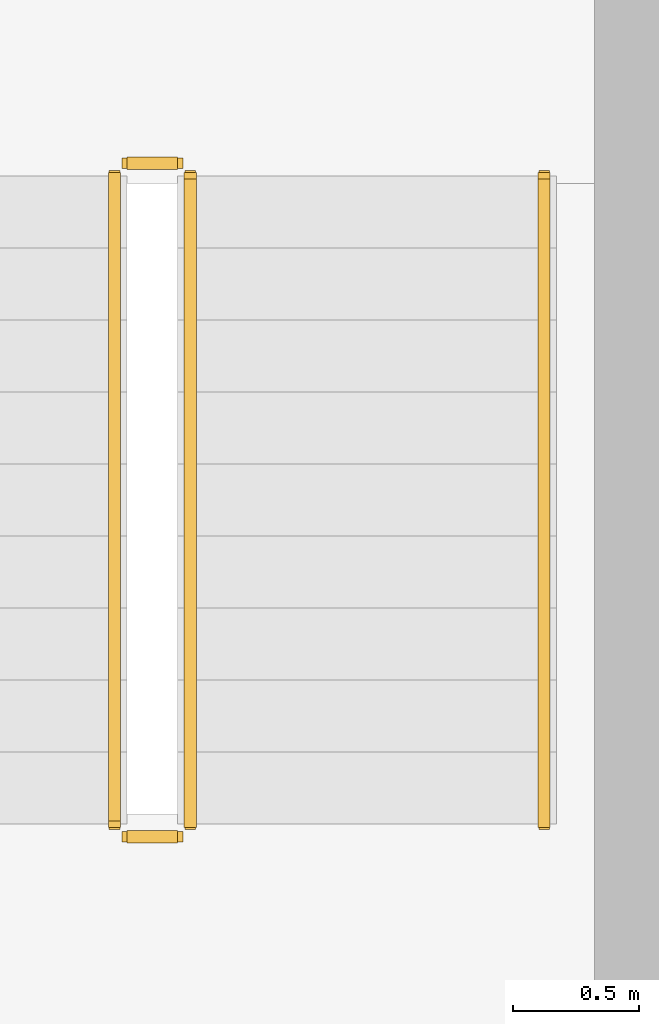
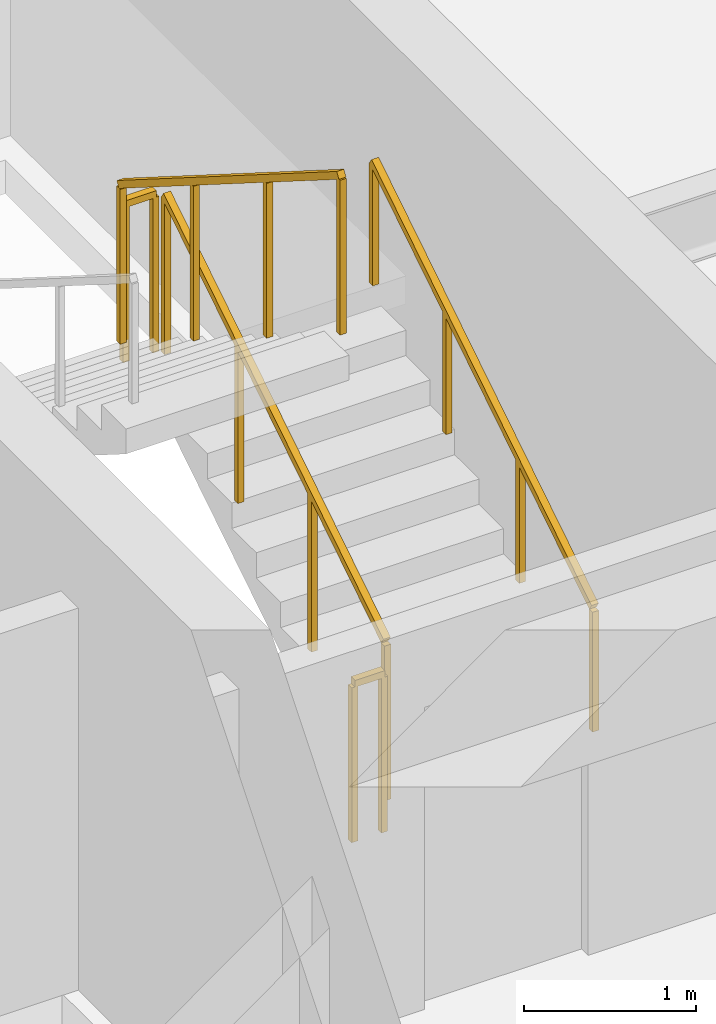
# One storey, part 23 of 23: 5 railings.
"""IFC4 building model written with IfcOpenShell, lengths in metres."""

from ifc_helpers import new_model, si_unit, direction, frame, origin, origin_2d, place, context, subcontext, project, spatial, rectangle, extrude, material, type_object, element, save


model = new_model("IFC4")

# Units and contexts
model_context = context("Model", 3, precision=1e-05, world=origin(), true_north=direction((0.0, 1.0)))
body_context = subcontext(model_context, "Body", "Model", "MODEL_VIEW")
ifc_project = project(units=[si_unit("LENGTHUNIT", "METRE"), si_unit("AREAUNIT", "SQUARE_METRE"), si_unit("VOLUMEUNIT", "CUBIC_METRE"), si_unit("PLANEANGLEUNIT", "RADIAN"), si_unit("MASSUNIT", "GRAM", prefix="KILO")], contexts=[model_context])

# Site, building, storey
site_placement = place(None, origin())
site = spatial("IfcSite", under=ifc_project, at=site_placement, CompositionType="ELEMENT")
building_placement = place(site_placement, origin())
building = spatial("IfcBuilding", under=site, at=building_placement, Name="Sarneth Arch Tower", CompositionType="ELEMENT")
storey_placement = place(building_placement, frame((0.0, 0.0, 249.60009765625)))
storey = spatial("IfcBuildingStorey", under=building, at=storey_placement, Name="L64", CompositionType="ELEMENT", Elevation=249.60009765625)

# Railings
ifc_material_1 = material(Name="Brushed Stainless Steel 304 tubular handrail", Category="steel")
railing_type_1 = type_object("IfcRailingType", Name="RAIL-HANDRAIL-900", PredefinedType="HANDRAIL", material=ifc_material_1)
railing_1_placement = place(storey_placement, frame((58.60009765625, 41.449951171875, 0.179931640625)))
element("IfcRailing", 1, at=railing_1_placement, inside=storey, type_object=railing_type_1, Name="L64 ST-2 stair handrail 1", PredefinedType="HANDRAIL", context=body_context, shape_type="SweptSolid", body=[
    extrude(rectangle(XDim=0.048095703125, YDim=0.048095703125, at=origin_2d()), frame((0.0, 0.0, 0.8759765625), z_axis=(0.0, 0.845502289212, 0.533971796014), x_axis=(-1.0, 0.0, 0.0)), (0.0, 0.0, 1.0), 3.03369140625),
    extrude(rectangle(XDim=0.0419921875, YDim=0.0419921875, at=origin_2d()), origin(), (0.0, 0.0, 1.0), 0.851806640625),
    extrude(rectangle(XDim=0.0419921875, YDim=0.0419921875, at=origin_2d()), frame((0.0, 0.85498046875, 0.5400390625)), (0.0, 0.0, 1.0), 0.851806640625),
    extrude(rectangle(XDim=0.0419921875, YDim=0.0419921875, at=origin_2d()), frame((0.0, 1.7099609375, 1.079833984375)), (0.0, 0.0, 1.0), 0.851806640625),
    extrude(rectangle(XDim=0.0419921875, YDim=0.0419921875, at=origin_2d()), frame((0.0, 2.56494140625, 1.619873046875)), (0.0, 0.0, 1.0), 0.851806640625),
])
ifc_material_2 = material(Name="Painted Steel S275 stair well guard", Category="steel")
railing_type_2 = type_object("IfcRailingType", Name="RAIL-STAIR-GUARD", PredefinedType="GUARDRAIL", material=ifc_material_2)
railing_2_placement = place(storey_placement, frame((57.199951171875, 41.449951171875, 0.179931640625)))
element("IfcRailing", 2, at=railing_2_placement, inside=storey, type_object=railing_type_2, Name="L64 ST-2 stair guard 1", PredefinedType="GUARDRAIL", context=body_context, shape_type="SweptSolid", body=[
    extrude(rectangle(XDim=0.048095703125, YDim=0.048095703125, at=origin_2d()), frame((0.0, 0.0, 1.1259765625), z_axis=(0.0, 0.845502289212, 0.533971796014), x_axis=(-1.0, 0.0, 0.0)), (0.0, 0.0, 1.0), 3.03369140625),
    extrude(rectangle(XDim=0.0419921875, YDim=0.0419921875, at=origin_2d()), origin(), (0.0, 0.0, 1.0), 1.101806640625),
    extrude(rectangle(XDim=0.0419921875, YDim=0.0419921875, at=origin_2d()), frame((0.0, 0.85498046875, 0.5400390625)), (0.0, 0.0, 1.0), 1.101806640625),
    extrude(rectangle(XDim=0.0419921875, YDim=0.0419921875, at=origin_2d()), frame((0.0, 1.7099609375, 1.079833984375)), (0.0, 0.0, 1.0), 1.101806640625),
    extrude(rectangle(XDim=0.0419921875, YDim=0.0419921875, at=origin_2d()), frame((0.0, 2.56494140625, 1.619873046875)), (0.0, 0.0, 1.0), 1.101806640625),
])
railing_3_placement = place(storey_placement, frame((57.14990234375, 44.06494140625, 1.7998046875)))
element("IfcRailing", 3, at=railing_3_placement, inside=storey, type_object=railing_type_2, Name="L64 ST-2 stair guard 2", PredefinedType="GUARDRAIL", context=body_context, shape_type="SweptSolid", body=[
    extrude(rectangle(XDim=0.048095703125, YDim=0.048095703125, at=origin_2d()), frame((0.0, 0.0, 1.1259765625), z_axis=(-1.0, 0.0, 0.0), x_axis=(0.0, -1.0, 0.0)), (0.0, 0.0, 1.0), 0.199951171875),
    extrude(rectangle(XDim=0.0419921875, YDim=0.0419921875, at=origin_2d()), origin(), (0.0, 0.0, 1.0), 1.101806640625),
    extrude(rectangle(XDim=0.0419921875, YDim=0.0419921875, at=origin_2d()), frame((-0.199951171875, 0.0, 0.0)), (0.0, 0.0, 1.0), 1.101806640625),
])
railing_4_placement = place(storey_placement, frame((56.89990234375, 44.014892578125, 1.97998046875)))
element("IfcRailing", 4, at=railing_4_placement, inside=storey, type_object=railing_type_2, Name="L64 ST-2 stair guard 3", PredefinedType="GUARDRAIL", context=body_context, shape_type="SweptSolid", body=[
    extrude(rectangle(XDim=0.048095703125, YDim=0.048095703125, at=origin_2d()), frame((0.0, 0.0, 1.1259765625), z_axis=(0.0, -0.845502289212, 0.533971796014), x_axis=(1.0, 0.0, 0.0)), (0.0, 0.0, 1.0), 3.03369140625),
    extrude(rectangle(XDim=0.0419921875, YDim=0.0419921875, at=origin_2d()), origin(), (0.0, 0.0, 1.0), 1.101806640625),
    extrude(rectangle(XDim=0.0419921875, YDim=0.0419921875, at=origin_2d()), frame((0.0, -0.85498046875, 0.5400390625)), (0.0, 0.0, 1.0), 1.101806640625),
    extrude(rectangle(XDim=0.0419921875, YDim=0.0419921875, at=origin_2d()), frame((0.0, -1.7099609375, 1.079833984375)), (0.0, 0.0, 1.0), 1.101806640625),
    extrude(rectangle(XDim=0.0419921875, YDim=0.0419921875, at=origin_2d()), frame((0.0, -2.56494140625, 1.619873046875)), (0.0, 0.0, 1.0), 1.101806640625),
])
railing_5_placement = place(storey_placement, frame((57.14990234375, 41.39990234375, 0.0)))
element("IfcRailing", 5, at=railing_5_placement, inside=storey, type_object=railing_type_2, Name="L64 ST-2 stair guard 4", PredefinedType="GUARDRAIL", context=body_context, shape_type="SweptSolid", body=[
    extrude(rectangle(XDim=0.048095703125, YDim=0.048095703125, at=origin_2d()), frame((0.0, 0.0, 1.1259765625), z_axis=(-1.0, 0.0, 0.0), x_axis=(0.0, -1.0, 0.0)), (0.0, 0.0, 1.0), 0.199951171875),
    extrude(rectangle(XDim=0.0419921875, YDim=0.0419921875, at=origin_2d()), origin(), (0.0, 0.0, 1.0), 1.101806640625),
    extrude(rectangle(XDim=0.0419921875, YDim=0.0419921875, at=origin_2d()), frame((-0.199951171875, 0.0, 0.0)), (0.0, 0.0, 1.0), 1.101806640625),
])

save(model, "model.ifc")
